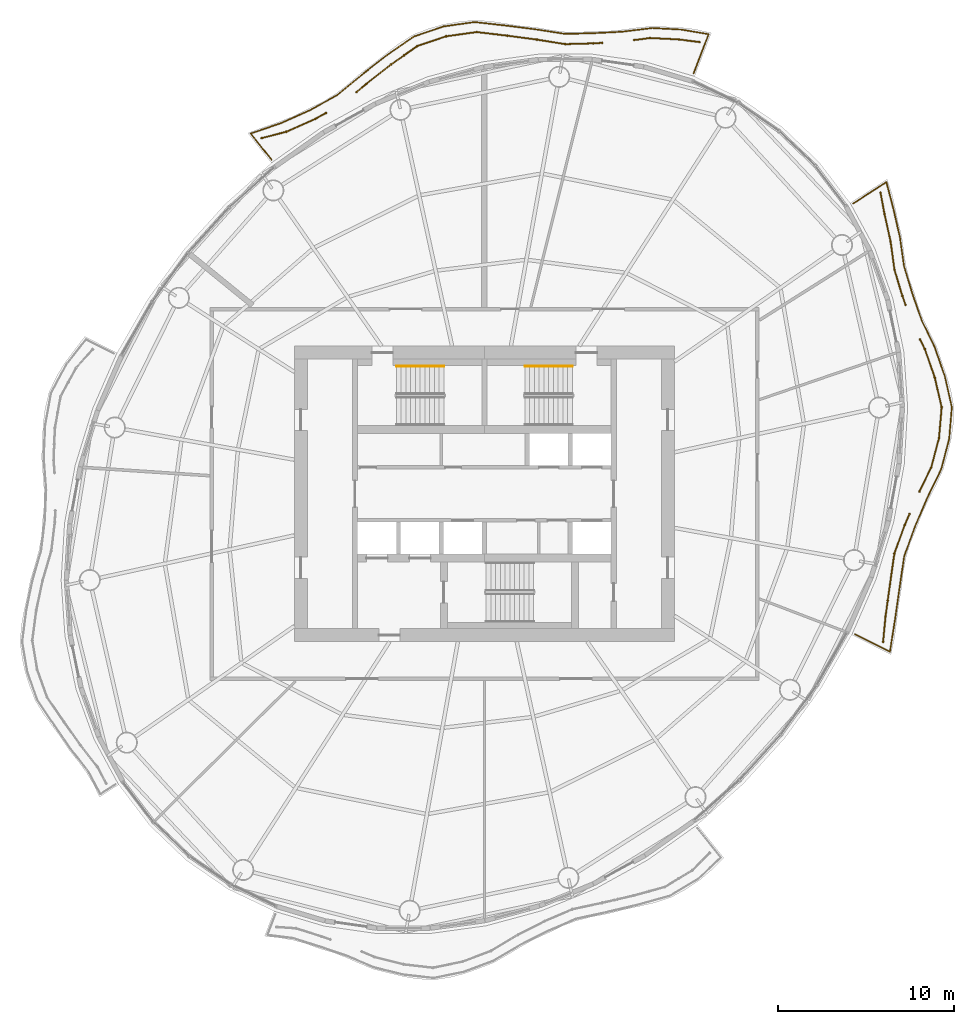
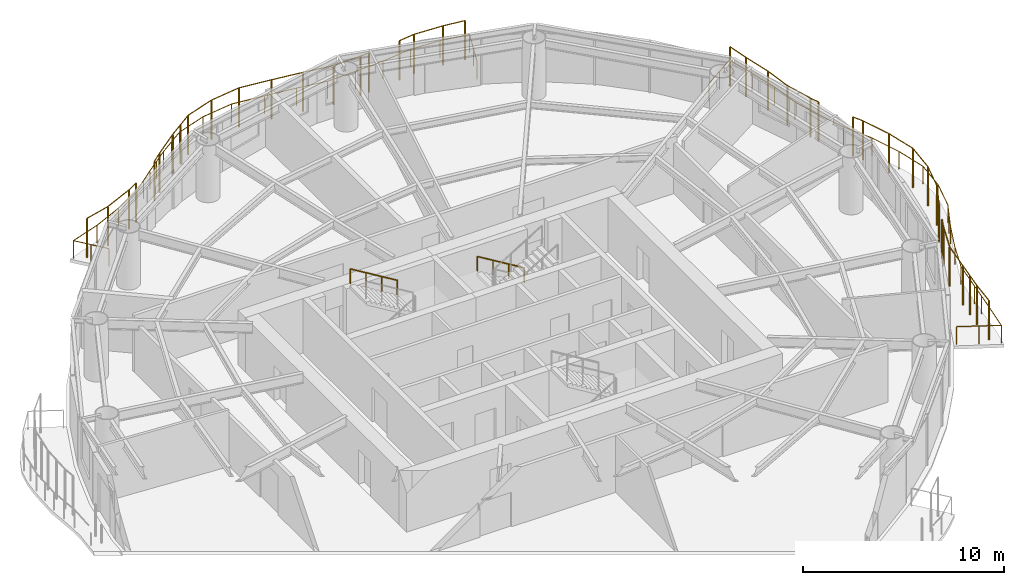
# One storey, part 14 of 14: 10 railings.
"""IFC4 building model written with IfcOpenShell, lengths in metres."""

from ifc_helpers import new_model, si_unit, direction, frame, origin, origin_2d, place, context, subcontext, project, spatial, circle, extrude, material, type_object, element, save


model = new_model("IFC4")

# Units and contexts
model_context = context("Model", 3, precision=1e-05, world=origin(), true_north=direction((0.0, 1.0)))
body_context = subcontext(model_context, "Body", "Model", "MODEL_VIEW")
ifc_project = project(units=[si_unit("LENGTHUNIT", "METRE"), si_unit("AREAUNIT", "SQUARE_METRE"), si_unit("VOLUMEUNIT", "CUBIC_METRE"), si_unit("PLANEANGLEUNIT", "RADIAN"), si_unit("MASSUNIT", "GRAM", prefix="KILO")], contexts=[model_context])

# Site, building, storey
site_placement = place(None, origin())
site = spatial("IfcSite", under=ifc_project, at=site_placement, CompositionType="ELEMENT")
building_placement = place(site_placement, origin())
building = spatial("IfcBuilding", under=site, at=building_placement, Name="Vermilion Reach Broadcast Tower", CompositionType="ELEMENT")
storey_placement = place(building_placement, frame((0.0, 0.0, 235.300048828125)))
storey = spatial("IfcBuildingStorey", under=building, at=storey_placement, Name="L58", CompositionType="ELEMENT", Elevation=235.300048828125)

# Railings
ifc_material_1 = material(Name="Terracotta baguette", Category="masonry")
railing_type_1 = type_object("IfcRailingType", Name="BAGUETTE SCREEN", PredefinedType="USERDEFINED", material=ifc_material_1)
railing_1_placement = place(storey_placement, frame((6.2158203125, 25.665283203125, 0.0)))
element("IfcRailing", 1, at=railing_1_placement, inside=storey, type_object=railing_type_1, Name="Baguette screen L58 group 1 part 1", ObjectType="BAGUETTE SCREEN", PredefinedType="USERDEFINED", context=body_context, shape_type="SweptSolid", body=[
    extrude(circle(Radius=0.030029296875, at=origin_2d()), frame((0.0, 0.0, 2.369873046875), z_axis=(-0.991571809295, 0.129558276509, 0.0), x_axis=(-0.129558276509, -0.991571809295, 0.0)), (0.0, 0.0, 1.0), 1.19091796875),
    extrude(circle(Radius=0.030029296875, at=origin_2d()), frame((-1.180908203125, 0.154296875, 2.369873046875), z_axis=(-0.998828351634, 0.048393429014, 0.0), x_axis=(-0.048393429014, -0.998828351634, 0.0)), (0.0, 0.0, 1.0), 1.62451171875),
    extrude(circle(Radius=0.030029296875, at=origin_2d()), frame((-2.803466796875, 0.23291015625, 2.369873046875), z_axis=(-0.991491863311, -0.130168678983, 0.0), x_axis=(0.130168678983, -0.991491863311, 0.0)), (0.0, 0.0, 1.0), 0.906005859375),
    extrude(circle(Radius=0.050048828125, at=origin_2d()), origin(), (0.0, 0.0, 1.0), 2.33984375),
    extrude(circle(Radius=0.050048828125, at=origin_2d()), frame((-1.180908203125, 0.154296875, 0.0)), (0.0, 0.0, 1.0), 2.33984375),
    extrude(circle(Radius=0.050048828125, at=origin_2d()), frame((-2.803466796875, 0.23291015625, 0.0)), (0.0, 0.0, 1.0), 2.33984375),
    extrude(circle(Radius=0.050048828125, at=origin_2d()), frame((-3.70166015625, 0.114990234375, 0.0)), (0.0, 0.0, 1.0), 2.33984375),
])
railing_2_placement = place(storey_placement, frame((0.68798828125, 25.622314453125, 0.0)))
element("IfcRailing", 2, at=railing_2_placement, inside=storey, type_object=railing_type_1, Name="Baguette screen L58 group 1 part 2", ObjectType="BAGUETTE SCREEN", PredefinedType="USERDEFINED", context=body_context, shape_type="SweptSolid", body=[
    extrude(circle(Radius=0.030029296875, at=origin_2d()), frame((0.0, 0.0, 2.369873046875), z_axis=(-0.998507167997, -0.054620833566, 0.0), x_axis=(0.054620833566, -0.998507167997, 0.0)), (0.0, 0.0, 1.0), 0.509521484375),
    extrude(circle(Radius=0.030029296875, at=origin_2d()), frame((-0.5087890625, -0.02783203125, 2.369873046875), z_axis=(-0.999612759384, -0.027826808589, 0.0), x_axis=(0.027826808589, -0.999612759384, 0.0)), (0.0, 0.0, 1.0), 1.588134765625),
    extrude(circle(Radius=0.030029296875, at=origin_2d()), frame((-2.09619140625, -0.072021484375, 2.369873046875), z_axis=(-0.987482899539, 0.157726101574, 0.0), x_axis=(-0.157726101574, -0.987482899539, 0.0)), (0.0, 0.0, 1.0), 1.62060546875),
    extrude(circle(Radius=0.030029296875, at=origin_2d()), frame((-3.696533203125, 0.18359375, 2.369873046875), z_axis=(-0.991309152713, 0.131552893348, 0.0), x_axis=(-0.131552893348, -0.991309152713, 0.0)), (0.0, 0.0, 1.0), 1.701904296875),
    extrude(circle(Radius=0.030029296875, at=origin_2d()), frame((-5.383544921875, 0.407470703125, 2.369873046875), z_axis=(-0.993103899131, 0.117237560243, 0.0), x_axis=(-0.117237560243, -0.993103899131, 0.0)), (0.0, 0.0, 1.0), 1.751220703125),
    extrude(circle(Radius=0.030029296875, at=origin_2d()), frame((-7.122802734375, 0.61279296875, 2.369873046875), z_axis=(-0.99065624385, -0.136382574111, 0.0), x_axis=(0.136382574111, -0.99065624385, 0.0)), (0.0, 0.0, 1.0), 1.750732421875),
    extrude(circle(Radius=0.030029296875, at=origin_2d()), frame((-8.857177734375, 0.3740234375, 2.369873046875), z_axis=(-0.946888031341, -0.321563455795, 0.0), x_axis=(0.321563455795, -0.946888031341, 0.0)), (0.0, 0.0, 1.0), 1.74169921875),
    extrude(circle(Radius=0.030029296875, at=origin_2d()), frame((-10.50634765625, -0.18603515625, 2.369873046875), z_axis=(-0.819030480707, -0.573750007993, 0.0), x_axis=(0.573750007993, -0.819030480707, 0.0)), (0.0, 0.0, 1.0), 1.822509765625),
    extrude(circle(Radius=0.030029296875, at=origin_2d()), frame((-11.9990234375, -1.231689453125, 2.369873046875), z_axis=(-0.785929801206, -0.618315734537, 0.0), x_axis=(0.618315734537, -0.785929801206, 0.0)), (0.0, 0.0, 1.0), 1.78857421875),
    extrude(circle(Radius=0.030029296875, at=origin_2d()), frame((-13.40478515625, -2.337646484375, 2.369873046875), z_axis=(-0.76729927623, -0.641289186481, 0.0), x_axis=(0.641289186481, -0.76729927623, 0.0)), (0.0, 0.0, 1.0), 0.716796875),
    extrude(circle(Radius=0.050048828125, at=origin_2d()), origin(), (0.0, 0.0, 1.0), 2.33984375),
    extrude(circle(Radius=0.050048828125, at=origin_2d()), frame((-0.5087890625, -0.02783203125, 0.0)), (0.0, 0.0, 1.0), 2.33984375),
    extrude(circle(Radius=0.050048828125, at=origin_2d()), frame((-2.09619140625, -0.072021484375, 0.0)), (0.0, 0.0, 1.0), 2.33984375),
    extrude(circle(Radius=0.050048828125, at=origin_2d()), frame((-3.696533203125, 0.18359375, 0.0)), (0.0, 0.0, 1.0), 2.33984375),
    extrude(circle(Radius=0.050048828125, at=origin_2d()), frame((-5.383544921875, 0.407470703125, 0.0)), (0.0, 0.0, 1.0), 2.33984375),
    extrude(circle(Radius=0.050048828125, at=origin_2d()), frame((-7.122802734375, 0.61279296875, 0.0)), (0.0, 0.0, 1.0), 2.33984375),
    extrude(circle(Radius=0.050048828125, at=origin_2d()), frame((-8.857177734375, 0.3740234375, 0.0)), (0.0, 0.0, 1.0), 2.33984375),
    extrude(circle(Radius=0.050048828125, at=origin_2d()), frame((-10.50634765625, -0.18603515625, 0.0)), (0.0, 0.0, 1.0), 2.33984375),
    extrude(circle(Radius=0.050048828125, at=origin_2d()), frame((-11.252685546875, -0.708984375, 0.0)), (0.0, 0.0, 1.0), 2.33984375),
    extrude(circle(Radius=0.050048828125, at=origin_2d()), frame((-11.9990234375, -1.231689453125, 0.0)), (0.0, 0.0, 1.0), 2.33984375),
    extrude(circle(Radius=0.050048828125, at=origin_2d()), frame((-13.40478515625, -2.337646484375, 0.0)), (0.0, 0.0, 1.0), 2.33984375),
    extrude(circle(Radius=0.050048828125, at=origin_2d()), frame((-13.954833984375, -2.79736328125, 0.0)), (0.0, 0.0, 1.0), 2.33984375),
])
railing_3_placement = place(storey_placement, frame((-15.00830078125, 21.634033203125, 0.0)))
element("IfcRailing", 3, at=railing_3_placement, inside=storey, type_object=railing_type_1, Name="Baguette screen L58 group 1 part 3", ObjectType="BAGUETTE SCREEN", PredefinedType="USERDEFINED", context=body_context, shape_type="SweptSolid", body=[
    extrude(circle(Radius=0.030029296875, at=origin_2d()), frame((0.0, 0.0, 2.369873046875), z_axis=(-0.876827004164, -0.480805994939, 0.0), x_axis=(0.480805994939, -0.876827004164, 0.0)), (0.0, 0.0, 1.0), 0.682373046875),
    extrude(circle(Radius=0.030029296875, at=origin_2d()), frame((-0.598388671875, -0.328125, 2.369873046875), z_axis=(-0.913108942884, -0.407715658794, 0.0), x_axis=(0.407715658794, -0.913108942884, 0.0)), (0.0, 0.0, 1.0), 1.794677734375),
    extrude(circle(Radius=0.030029296875, at=origin_2d()), frame((-2.237060546875, -1.059814453125, 2.369873046875), z_axis=(-0.967925698677, -0.251236625196, 0.0), x_axis=(0.251236625196, -0.967925698677, 0.0)), (0.0, 0.0, 1.0), 1.450927734375),
    extrude(circle(Radius=0.050048828125, at=origin_2d()), origin(), (0.0, 0.0, 1.0), 2.33984375),
    extrude(circle(Radius=0.050048828125, at=origin_2d()), frame((-0.598388671875, -0.328125, 0.0)), (0.0, 0.0, 1.0), 2.33984375),
    extrude(circle(Radius=0.050048828125, at=origin_2d()), frame((-2.237060546875, -1.059814453125, 0.0)), (0.0, 0.0, 1.0), 2.33984375),
    extrude(circle(Radius=0.050048828125, at=origin_2d()), frame((-3.641357421875, -1.42431640625, 0.0)), (0.0, 0.0, 1.0), 2.33984375),
])
railing_4_placement = place(storey_placement, frame((16.654052734375, -8.411376953125, 0.0)))
element("IfcRailing", 4, at=railing_4_placement, inside=storey, type_object=railing_type_1, Name="Baguette screen L58 group 4 part 1", ObjectType="BAGUETTE SCREEN", PredefinedType="USERDEFINED", context=body_context, shape_type="SweptSolid", body=[
    extrude(circle(Radius=0.030029296875, at=origin_2d()), frame((0.0, 0.0, 2.369873046875), z_axis=(0.093654347254, 0.995604772608, 0.0), x_axis=(-0.995604772608, 0.093654347254, 0.0)), (0.0, 0.0, 1.0), 1.44677734375),
    extrude(circle(Radius=0.030029296875, at=origin_2d()), frame((0.135498046875, 1.4404296875, 2.369873046875), z_axis=(0.137319125596, 0.990526858669, 0.0), x_axis=(-0.990526858669, 0.137319125596, 0.0)), (0.0, 0.0, 1.0), 1.841796875),
    extrude(circle(Radius=0.030029296875, at=origin_2d()), frame((0.388427734375, 3.264892578125, 2.369873046875), z_axis=(0.141266693029, 0.989971576077, 0.0), x_axis=(-0.989971576077, 0.141266693029, 0.0)), (0.0, 0.0, 1.0), 1.76806640625),
    extrude(circle(Radius=0.030029296875, at=origin_2d()), frame((0.63818359375, 5.01513671875, 2.369873046875), z_axis=(0.341055271305, 0.940043244705, 0.0), x_axis=(-0.940043244705, 0.341055271305, 0.0)), (0.0, 0.0, 1.0), 1.73876953125),
    extrude(circle(Radius=0.030029296875, at=origin_2d()), frame((1.231201171875, 6.649658203125, 2.369873046875), z_axis=(0.39537279871, 0.918520740125, 0.0), x_axis=(-0.918520740125, 0.39537279871, 0.0)), (0.0, 0.0, 1.0), 0.668701171875),
    extrude(circle(Radius=0.050048828125, at=origin_2d()), origin(), (0.0, 0.0, 1.0), 2.33984375),
    extrude(circle(Radius=0.050048828125, at=origin_2d()), frame((0.135498046875, 1.4404296875, 0.0)), (0.0, 0.0, 1.0), 2.33984375),
    extrude(circle(Radius=0.050048828125, at=origin_2d()), frame((0.261962890625, 2.3525390625, 0.0)), (0.0, 0.0, 1.0), 2.33984375),
    extrude(circle(Radius=0.050048828125, at=origin_2d()), frame((0.388427734375, 3.264892578125, 0.0)), (0.0, 0.0, 1.0), 2.33984375),
    extrude(circle(Radius=0.050048828125, at=origin_2d()), frame((0.63818359375, 5.01513671875, 0.0)), (0.0, 0.0, 1.0), 2.33984375),
    extrude(circle(Radius=0.050048828125, at=origin_2d()), frame((1.231201171875, 6.649658203125, 0.0)), (0.0, 0.0, 1.0), 2.33984375),
    extrude(circle(Radius=0.050048828125, at=origin_2d()), frame((1.49560546875, 7.263916015625, 0.0)), (0.0, 0.0, 1.0), 2.33984375),
])
railing_5_placement = place(storey_placement, frame((18.71630859375, 0.12841796875, 0.0)))
element("IfcRailing", 5, at=railing_5_placement, inside=storey, type_object=railing_type_1, Name="Baguette screen L58 group 4 part 2", ObjectType="BAGUETTE SCREEN", PredefinedType="USERDEFINED", context=body_context, shape_type="SweptSolid", body=[
    extrude(circle(Radius=0.030029296875, at=origin_2d()), frame((0.0, 0.0, 2.369873046875), z_axis=(0.441834276292, 0.897096690604, 0.0), x_axis=(-0.897096690604, 0.441834276292, 0.0)), (0.0, 0.0, 1.0), 1.509033203125),
    extrude(circle(Radius=0.030029296875, at=origin_2d()), frame((0.666748046875, 1.353759765625, 2.369873046875), z_axis=(0.25551384864, 0.966805395699, 0.0), x_axis=(-0.966805395699, 0.25551384864, 0.0)), (0.0, 0.0, 1.0), 1.75439453125),
    extrude(circle(Radius=0.030029296875, at=origin_2d()), frame((1.114990234375, 3.0498046875, 2.369873046875), z_axis=(0.084534628096, 0.996420542067, 0.0), x_axis=(-0.996420542067, 0.084534628096, 0.0)), (0.0, 0.0, 1.0), 1.750244140625),
    extrude(circle(Radius=0.030029296875, at=origin_2d()), frame((1.262939453125, 4.793701171875, 2.369873046875), z_axis=(-0.226167957259, 0.974088319974, 0.0), x_axis=(-0.974088319974, -0.226167957259, 0.0)), (0.0, 0.0, 1.0), 1.73046875),
    extrude(circle(Radius=0.030029296875, at=origin_2d()), frame((0.87158203125, 6.479248046875, 2.369873046875), z_axis=(-0.329682832837, 0.944091748578, 0.0), x_axis=(-0.944091748578, -0.329682832837, 0.0)), (0.0, 0.0, 1.0), 1.726806640625),
    extrude(circle(Radius=0.030029296875, at=origin_2d()), frame((0.30224609375, 8.109619140625, 2.369873046875), z_axis=(-0.443588797361, 0.896230427321, 0.0), x_axis=(-0.896230427321, -0.443588797361, 0.0)), (0.0, 0.0, 1.0), 0.59326171875),
    extrude(circle(Radius=0.050048828125, at=origin_2d()), origin(), (0.0, 0.0, 1.0), 2.33984375),
    extrude(circle(Radius=0.050048828125, at=origin_2d()), frame((0.666748046875, 1.353759765625, 0.0)), (0.0, 0.0, 1.0), 2.33984375),
    extrude(circle(Radius=0.050048828125, at=origin_2d()), frame((1.114990234375, 3.0498046875, 0.0)), (0.0, 0.0, 1.0), 2.33984375),
    extrude(circle(Radius=0.050048828125, at=origin_2d()), frame((1.262939453125, 4.793701171875, 0.0)), (0.0, 0.0, 1.0), 2.33984375),
    extrude(circle(Radius=0.050048828125, at=origin_2d()), frame((0.87158203125, 6.479248046875, 0.0)), (0.0, 0.0, 1.0), 2.33984375),
    extrude(circle(Radius=0.050048828125, at=origin_2d()), frame((0.30224609375, 8.109619140625, 0.0)), (0.0, 0.0, 1.0), 2.33984375),
    extrude(circle(Radius=0.050048828125, at=origin_2d()), frame((0.0390625, 8.641357421875, 0.0)), (0.0, 0.0, 1.0), 2.33984375),
])
railing_6_placement = place(storey_placement, frame((17.92333984375, 10.7421875, 0.0)))
element("IfcRailing", 6, at=railing_6_placement, inside=storey, type_object=railing_type_1, Name="Baguette screen L58 group 4 part 3", ObjectType="BAGUETTE SCREEN", PredefinedType="USERDEFINED", context=body_context, shape_type="SweptSolid", body=[
    extrude(circle(Radius=0.030029296875, at=origin_2d()), frame((0.0, 0.0, 2.369873046875), z_axis=(-0.330592480543, 0.943773601988, 0.0), x_axis=(-0.943773601988, -0.330592480543, 0.0)), (0.0, 0.0, 1.0), 0.5390625),
    extrude(circle(Radius=0.030029296875, at=origin_2d()), frame((-0.17822265625, 0.5087890625, 2.369873046875), z_axis=(-0.289661643219, 0.957129109602, 0.0), x_axis=(-0.957129109602, -0.289661643219, 0.0)), (0.0, 0.0, 1.0), 1.54833984375),
    extrude(circle(Radius=0.030029296875, at=origin_2d()), frame((-0.626708984375, 1.99072265625, 2.369873046875), z_axis=(-0.134351096884, 0.990933793331, 0.0), x_axis=(-0.990933793331, -0.134351096884, 0.0)), (0.0, 0.0, 1.0), 1.615478515625),
    extrude(circle(Radius=0.030029296875, at=origin_2d()), frame((-0.84375, 3.591552734375, 2.369873046875), z_axis=(-0.216962587085, 0.976179919792, 0.0), x_axis=(-0.976179919792, -0.216962587085, 0.0)), (0.0, 0.0, 1.0), 1.609130859375),
    extrude(circle(Radius=0.030029296875, at=origin_2d()), frame((-1.19287109375, 5.162353515625, 2.369873046875), z_axis=(-0.181853365055, 0.983325660002, 0.0), x_axis=(-0.983325660002, -0.181853365055, 0.0)), (0.0, 0.0, 1.0), 1.22314453125),
    extrude(circle(Radius=0.050048828125, at=origin_2d()), origin(), (0.0, 0.0, 1.0), 2.33984375),
    extrude(circle(Radius=0.050048828125, at=origin_2d()), frame((-0.17822265625, 0.5087890625, 0.0)), (0.0, 0.0, 1.0), 2.33984375),
    extrude(circle(Radius=0.050048828125, at=origin_2d()), frame((-0.626708984375, 1.99072265625, 0.0)), (0.0, 0.0, 1.0), 2.33984375),
    extrude(circle(Radius=0.050048828125, at=origin_2d()), frame((-0.84375, 3.591552734375, 0.0)), (0.0, 0.0, 1.0), 2.33984375),
    extrude(circle(Radius=0.050048828125, at=origin_2d()), frame((-1.19287109375, 5.162353515625, 0.0)), (0.0, 0.0, 1.0), 2.33984375),
    extrude(circle(Radius=0.050048828125, at=origin_2d()), frame((-1.415283203125, 6.364990234375, 0.0)), (0.0, 0.0, 1.0), 2.33984375),
])
ifc_material_2 = material(Name="Stainless steel 316 balustrade", Category="steel")
railing_type_2 = type_object("IfcRailingType", Name="Balcony guard 1100", PredefinedType="BALUSTRADE", material=ifc_material_2)
railing_7_placement = place(storey_placement, frame((5.88427734375, 23.887939453125, 0.0)))
element("IfcRailing", 7, at=railing_7_placement, inside=storey, type_object=railing_type_2, Name="Balcony guard L58 group 1", PredefinedType="BALUSTRADE", context=body_context, shape_type="SweptSolid", body=[
    extrude(circle(Radius=0.02490234375, at=origin_2d()), frame((0.0, 0.0, 1.0751953125), z_axis=(0.359171287616, 0.93327165721, 0.0), x_axis=(-0.93327165721, 0.359171287616, 0.0)), (0.0, 0.0, 1.0), 2.383056640625),
    extrude(circle(Radius=0.02490234375, at=origin_2d()), frame((0.85595703125, 2.22412109375, 1.0751953125), z_axis=(-0.985675011589, 0.168655778228, 0.0), x_axis=(-0.168655778228, -0.985675011589, 0.0)), (0.0, 0.0, 1.0), 1.56201171875),
    extrude(circle(Radius=0.02490234375, at=origin_2d()), frame((-0.68359375, 2.487548828125, 1.0751953125), z_axis=(-0.998561837629, 0.053612092207, 0.0), x_axis=(-0.053612092207, -0.998561837629, 0.0)), (0.0, 0.0, 1.0), 1.666748046875),
    extrude(circle(Radius=0.02490234375, at=origin_2d()), frame((-2.347900390625, 2.576904296875, 1.0751953125), z_axis=(-0.992439500833, -0.122734824664, 0.0), x_axis=(0.122734824664, -0.992439500833, 0.0)), (0.0, 0.0, 1.0), 1.710693359375),
    extrude(circle(Radius=0.02490234375, at=origin_2d()), frame((-4.045654296875, 2.366943359375, 1.0751953125), z_axis=(-0.998726288129, -0.050455935232, 0.0), x_axis=(0.050455935232, -0.998726288129, 0.0)), (0.0, 0.0, 1.0), 1.620849609375),
    extrude(circle(Radius=0.02490234375, at=origin_2d()), frame((-5.66455078125, 2.28515625, 1.0751953125), z_axis=(-0.999656093693, -0.026223926907, 0.0), x_axis=(0.026223926907, -0.999656093693, 0.0)), (0.0, 0.0, 1.0), 1.629150390625),
    extrude(circle(Radius=0.02490234375, at=origin_2d()), frame((-7.293212890625, 2.242431640625, 1.0751953125), z_axis=(-0.988199260452, 0.153173828191, 0.0), x_axis=(-0.153173828191, -0.988199260452, 0.0)), (0.0, 0.0, 1.0), 1.6591796875),
    extrude(circle(Radius=0.02490234375, at=origin_2d()), frame((-8.932861328125, 2.49658203125, 1.0751953125), z_axis=(-0.991992478383, 0.126296962872, 0.0), x_axis=(-0.126296962872, -0.991992478383, 0.0)), (0.0, 0.0, 1.0), 1.73974609375),
    extrude(circle(Radius=0.02490234375, at=origin_2d()), frame((-10.65869140625, 2.71630859375, 1.0751953125), z_axis=(-0.993768252008, 0.111465964761, 0.0), x_axis=(-0.111465964761, -0.993768252008, 0.0)), (0.0, 0.0, 1.0), 1.787353515625),
    extrude(circle(Radius=0.02490234375, at=origin_2d()), frame((-12.434814453125, 2.91552734375, 1.0751953125), z_axis=(-0.990384453817, -0.138342450595, 0.0), x_axis=(0.138342450595, -0.990384453817, 0.0)), (0.0, 0.0, 1.0), 1.78759765625),
    extrude(circle(Radius=0.02490234375, at=origin_2d()), frame((-14.205322265625, 2.668212890625, 1.0751953125), z_axis=(-0.94704959354, -0.321087320485, 0.0), x_axis=(0.321087320485, -0.94704959354, 0.0)), (0.0, 0.0, 1.0), 1.77685546875),
    extrude(circle(Radius=0.02490234375, at=origin_2d()), frame((-15.88818359375, 2.09765625, 1.0751953125), z_axis=(-0.821818054118, -0.569750020559, 0.0), x_axis=(0.569750020559, -0.821818054118, 0.0)), (0.0, 0.0, 1.0), 1.856689453125),
    extrude(circle(Radius=0.02490234375, at=origin_2d()), frame((-17.4140625, 1.039794921875, 1.0751953125), z_axis=(-0.788767381372, -0.614691807399, 0.0), x_axis=(0.614691807399, -0.788767381372, 0.0)), (0.0, 0.0, 1.0), 1.82177734375),
    extrude(circle(Radius=0.02490234375, at=origin_2d()), frame((-18.85107421875, -0.080078125, 1.0751953125), z_axis=(-0.769912310951, -0.63814969517, 0.0), x_axis=(0.63814969517, -0.769912310951, 0.0)), (0.0, 0.0, 1.0), 1.819580078125),
    extrude(circle(Radius=0.02490234375, at=origin_2d()), frame((-20.251953125, -1.2412109375, 1.0751953125), z_axis=(-0.876560246025, -0.481292151493, 0.0), x_axis=(0.481292151493, -0.876560246025, 0.0)), (0.0, 0.0, 1.0), 1.765380859375),
    extrude(circle(Radius=0.02490234375, at=origin_2d()), frame((-21.79931640625, -2.0908203125, 1.0751953125), z_axis=(-0.911888993031, -0.410436918892, 0.0), x_axis=(0.410436918892, -0.911888993031, 0.0)), (0.0, 0.0, 1.0), 1.82666015625),
    extrude(circle(Radius=0.02490234375, at=origin_2d()), frame((-23.465087890625, -2.840576171875, 1.0751953125), z_axis=(-0.947313230279, -0.320308669471, 0.0), x_axis=(0.320308669471, -0.947313230279, 0.0)), (0.0, 0.0, 1.0), 1.79345703125),
    extrude(circle(Radius=0.02490234375, at=origin_2d()), frame((-25.1640625, -3.4150390625, 1.0751953125), z_axis=(0.622276462089, -0.782797550284, 0.0), x_axis=(0.782797550284, 0.622276462089, 0.0)), (0.0, 0.0, 1.0), 1.898193359375),
    extrude(circle(Radius=0.02490234375, at=origin_2d()), origin(), (0.0, 0.0, 1.0), 1.050048828125),
    extrude(circle(Radius=0.02490234375, at=origin_2d()), frame((0.427978515625, 1.112060546875, 0.0)), (0.0, 0.0, 1.0), 1.050048828125),
    extrude(circle(Radius=0.02490234375, at=origin_2d()), frame((0.85595703125, 2.22412109375, 0.0)), (0.0, 0.0, 1.0), 1.050048828125),
    extrude(circle(Radius=0.02490234375, at=origin_2d()), frame((-0.68359375, 2.487548828125, 0.0)), (0.0, 0.0, 1.0), 1.050048828125),
    extrude(circle(Radius=0.02490234375, at=origin_2d()), frame((-2.347900390625, 2.576904296875, 0.0)), (0.0, 0.0, 1.0), 1.050048828125),
    extrude(circle(Radius=0.02490234375, at=origin_2d()), frame((-4.045654296875, 2.366943359375, 0.0)), (0.0, 0.0, 1.0), 1.050048828125),
    extrude(circle(Radius=0.02490234375, at=origin_2d()), frame((-5.66455078125, 2.28515625, 0.0)), (0.0, 0.0, 1.0), 1.050048828125),
    extrude(circle(Radius=0.02490234375, at=origin_2d()), frame((-7.293212890625, 2.242431640625, 0.0)), (0.0, 0.0, 1.0), 1.050048828125),
    extrude(circle(Radius=0.02490234375, at=origin_2d()), frame((-8.932861328125, 2.49658203125, 0.0)), (0.0, 0.0, 1.0), 1.050048828125),
    extrude(circle(Radius=0.02490234375, at=origin_2d()), frame((-10.65869140625, 2.71630859375, 0.0)), (0.0, 0.0, 1.0), 1.050048828125),
    extrude(circle(Radius=0.02490234375, at=origin_2d()), frame((-12.434814453125, 2.91552734375, 0.0)), (0.0, 0.0, 1.0), 1.050048828125),
    extrude(circle(Radius=0.02490234375, at=origin_2d()), frame((-14.205322265625, 2.668212890625, 0.0)), (0.0, 0.0, 1.0), 1.050048828125),
    extrude(circle(Radius=0.02490234375, at=origin_2d()), frame((-15.88818359375, 2.09765625, 0.0)), (0.0, 0.0, 1.0), 1.050048828125),
    extrude(circle(Radius=0.02490234375, at=origin_2d()), frame((-16.651123046875, 1.56884765625, 0.0)), (0.0, 0.0, 1.0), 1.050048828125),
    extrude(circle(Radius=0.02490234375, at=origin_2d()), frame((-17.4140625, 1.039794921875, 0.0)), (0.0, 0.0, 1.0), 1.050048828125),
    extrude(circle(Radius=0.02490234375, at=origin_2d()), frame((-18.132568359375, 0.47998046875, 0.0)), (0.0, 0.0, 1.0), 1.050048828125),
    extrude(circle(Radius=0.02490234375, at=origin_2d()), frame((-18.85107421875, -0.080078125, 0.0)), (0.0, 0.0, 1.0), 1.050048828125),
    extrude(circle(Radius=0.02490234375, at=origin_2d()), frame((-19.551513671875, -0.66064453125, 0.0)), (0.0, 0.0, 1.0), 1.050048828125),
    extrude(circle(Radius=0.02490234375, at=origin_2d()), frame((-20.251953125, -1.2412109375, 0.0)), (0.0, 0.0, 1.0), 1.050048828125),
    extrude(circle(Radius=0.02490234375, at=origin_2d()), frame((-21.79931640625, -2.0908203125, 0.0)), (0.0, 0.0, 1.0), 1.050048828125),
    extrude(circle(Radius=0.02490234375, at=origin_2d()), frame((-22.63232421875, -2.4658203125, 0.0)), (0.0, 0.0, 1.0), 1.050048828125),
    extrude(circle(Radius=0.02490234375, at=origin_2d()), frame((-23.465087890625, -2.840576171875, 0.0)), (0.0, 0.0, 1.0), 1.050048828125),
    extrude(circle(Radius=0.02490234375, at=origin_2d()), frame((-25.1640625, -3.4150390625, 0.0)), (0.0, 0.0, 1.0), 1.050048828125),
    extrude(circle(Radius=0.02490234375, at=origin_2d()), frame((-24.573486328125, -4.157958984375, 0.0)), (0.0, 0.0, 1.0), 1.050048828125),
    extrude(circle(Radius=0.02490234375, at=origin_2d()), frame((-23.98291015625, -4.90087890625, 0.0)), (0.0, 0.0, 1.0), 1.050048828125),
])
railing_8_placement = place(storey_placement, frame((15.054443359375, -7.974853515625, 0.0)))
element("IfcRailing", 8, at=railing_8_placement, inside=storey, type_object=railing_type_2, Name="Balcony guard L58 group 4", PredefinedType="BALUSTRADE", context=body_context, shape_type="SweptSolid", body=[
    extrude(circle(Radius=0.02490234375, at=origin_2d()), frame((0.0, 0.0, 1.0751953125), z_axis=(0.893171730246, -0.449715754993, 0.0), x_axis=(0.449715754993, 0.893171730246, 0.0)), (0.0, 0.0, 1.0), 2.22314453125),
    extrude(circle(Radius=0.02490234375, at=origin_2d()), frame((1.985595703125, -0.999755859375, 1.0751953125), z_axis=(0.156647434007, 0.987654586087, 0.0), x_axis=(-0.987654586087, 0.156647434007, 0.0)), (0.0, 0.0, 1.0), 1.7939453125),
    extrude(circle(Radius=0.02490234375, at=origin_2d()), frame((2.2666015625, 0.77197265625, 1.0751953125), z_axis=(0.141640263214, 0.989918196538, 0.0), x_axis=(-0.989918196538, 0.141640263214, 0.0)), (0.0, 0.0, 1.0), 1.87353515625),
    extrude(circle(Radius=0.02490234375, at=origin_2d()), frame((2.531982421875, 2.626708984375, 1.0751953125), z_axis=(0.144591886032, 0.989491377675, 0.0), x_axis=(-0.989491377675, 0.144591886032, 0.0)), (0.0, 0.0, 1.0), 1.7998046875),
    extrude(circle(Radius=0.02490234375, at=origin_2d()), frame((2.792236328125, 4.40771484375, 1.0751953125), z_axis=(0.339597086757, 0.940571006711, 0.0), x_axis=(-0.940571006711, 0.339597086757, 0.0)), (0.0, 0.0, 1.0), 1.77294921875),
    extrude(circle(Radius=0.02490234375, at=origin_2d()), frame((3.394287109375, 6.0751953125, 1.0751953125), z_axis=(0.391782503968, 0.920057862085, 0.0), x_axis=(-0.920057862085, 0.391782503968, 0.0)), (0.0, 0.0, 1.0), 1.77978515625),
    extrude(circle(Radius=0.02490234375, at=origin_2d()), frame((4.091552734375, 7.712646484375, 1.0751953125), z_axis=(0.436743261633, 0.899586195658, 0.0), x_axis=(-0.899586195658, 0.436743261633, 0.0)), (0.0, 0.0, 1.0), 1.861572265625),
    extrude(circle(Radius=0.02490234375, at=origin_2d()), frame((4.904541015625, 9.38720703125, 1.0751953125), z_axis=(0.252155271257, 0.967686787746, 0.0), x_axis=(-0.967686787746, 0.252155271257, 0.0)), (0.0, 0.0, 1.0), 1.789306640625),
    extrude(circle(Radius=0.02490234375, at=origin_2d()), frame((5.355712890625, 11.11865234375, 1.0751953125), z_axis=(0.083328104341, 0.996522165848, 0.0), x_axis=(-0.996522165848, 0.083328104341, 0.0)), (0.0, 0.0, 1.0), 1.787109375),
    extrude(circle(Radius=0.02490234375, at=origin_2d()), frame((5.504638671875, 12.899658203125, 1.0751953125), z_axis=(-0.222164488261, 0.975009200036, 0.0), x_axis=(-0.975009200036, -0.222164488261, 0.0)), (0.0, 0.0, 1.0), 1.76708984375),
    extrude(circle(Radius=0.02490234375, at=origin_2d()), frame((5.112060546875, 14.62255859375, 1.0751953125), z_axis=(-0.324928994514, 0.945738414428, 0.0), x_axis=(-0.945738414428, -0.324928994514, 0.0)), (0.0, 0.0, 1.0), 1.764892578125),
    extrude(circle(Radius=0.02490234375, at=origin_2d()), frame((4.53857421875, 16.291748046875, 1.0751953125), z_axis=(-0.43768946133, 0.899126206625, 0.0), x_axis=(-0.899126206625, -0.43768946133, 0.0)), (0.0, 0.0, 1.0), 1.716796875),
    extrude(circle(Radius=0.02490234375, at=origin_2d()), frame((3.787109375, 17.83544921875, 1.0751953125), z_axis=(-0.328445518489, 0.944522917342, 0.0), x_axis=(-0.944522917342, -0.328445518489, 0.0)), (0.0, 0.0, 1.0), 1.638916015625),
    extrude(circle(Radius=0.02490234375, at=origin_2d()), frame((3.248779296875, 19.383544921875, 1.0751953125), z_axis=(-0.289981818031, 0.957032154743, 0.0), x_axis=(-0.957032154743, -0.289981818031, 0.0)), (0.0, 0.0, 1.0), 1.589599609375),
    extrude(circle(Radius=0.02490234375, at=origin_2d()), frame((2.787841796875, 20.90478515625, 1.0751953125), z_axis=(-0.140843813606, 0.990031827857, 0.0), x_axis=(-0.990031827857, -0.140843813606, 0.0)), (0.0, 0.0, 1.0), 1.6572265625),
    extrude(circle(Radius=0.02490234375, at=origin_2d()), frame((2.554443359375, 22.54541015625, 1.0751953125), z_axis=(-0.222969330189, 0.97482546017, 0.0), x_axis=(-0.97482546017, -0.222969330189, 0.0)), (0.0, 0.0, 1.0), 1.651123046875),
    extrude(circle(Radius=0.02490234375, at=origin_2d()), frame((2.186279296875, 24.155029296875, 1.0751953125), z_axis=(-0.253908945377, 0.967228125862, 0.0), x_axis=(-0.967228125862, -0.253908945377, 0.0)), (0.0, 0.0, 1.0), 1.583740234375),
    extrude(circle(Radius=0.02490234375, at=origin_2d()), frame((1.7841796875, 25.686767578125, 1.0751953125), z_axis=(-0.840441405493, -0.541902430271, 0.0), x_axis=(0.541902430271, -0.840441405493, 0.0)), (0.0, 0.0, 1.0), 2.22998046875),
    extrude(circle(Radius=0.02490234375, at=origin_2d()), origin(), (0.0, 0.0, 1.0), 1.050048828125),
    extrude(circle(Radius=0.02490234375, at=origin_2d()), frame((0.99267578125, -0.5, 0.0)), (0.0, 0.0, 1.0), 1.050048828125),
    extrude(circle(Radius=0.02490234375, at=origin_2d()), frame((1.985595703125, -0.999755859375, 0.0)), (0.0, 0.0, 1.0), 1.050048828125),
    extrude(circle(Radius=0.02490234375, at=origin_2d()), frame((2.2666015625, 0.77197265625, 0.0)), (0.0, 0.0, 1.0), 1.050048828125),
    extrude(circle(Radius=0.02490234375, at=origin_2d()), frame((2.3994140625, 1.69921875, 0.0)), (0.0, 0.0, 1.0), 1.050048828125),
    extrude(circle(Radius=0.02490234375, at=origin_2d()), frame((2.531982421875, 2.626708984375, 0.0)), (0.0, 0.0, 1.0), 1.050048828125),
    extrude(circle(Radius=0.02490234375, at=origin_2d()), frame((2.792236328125, 4.40771484375, 0.0)), (0.0, 0.0, 1.0), 1.050048828125),
    extrude(circle(Radius=0.02490234375, at=origin_2d()), frame((3.394287109375, 6.0751953125, 0.0)), (0.0, 0.0, 1.0), 1.050048828125),
    extrude(circle(Radius=0.02490234375, at=origin_2d()), frame((4.091552734375, 7.712646484375, 0.0)), (0.0, 0.0, 1.0), 1.050048828125),
    extrude(circle(Radius=0.02490234375, at=origin_2d()), frame((4.498046875, 8.5498046875, 0.0)), (0.0, 0.0, 1.0), 1.050048828125),
    extrude(circle(Radius=0.02490234375, at=origin_2d()), frame((4.904541015625, 9.38720703125, 0.0)), (0.0, 0.0, 1.0), 1.050048828125),
    extrude(circle(Radius=0.02490234375, at=origin_2d()), frame((5.355712890625, 11.11865234375, 0.0)), (0.0, 0.0, 1.0), 1.050048828125),
    extrude(circle(Radius=0.02490234375, at=origin_2d()), frame((5.504638671875, 12.899658203125, 0.0)), (0.0, 0.0, 1.0), 1.050048828125),
    extrude(circle(Radius=0.02490234375, at=origin_2d()), frame((5.112060546875, 14.62255859375, 0.0)), (0.0, 0.0, 1.0), 1.050048828125),
    extrude(circle(Radius=0.02490234375, at=origin_2d()), frame((4.53857421875, 16.291748046875, 0.0)), (0.0, 0.0, 1.0), 1.050048828125),
    extrude(circle(Radius=0.02490234375, at=origin_2d()), frame((3.787109375, 17.83544921875, 0.0)), (0.0, 0.0, 1.0), 1.050048828125),
    extrude(circle(Radius=0.02490234375, at=origin_2d()), frame((3.248779296875, 19.383544921875, 0.0)), (0.0, 0.0, 1.0), 1.050048828125),
    extrude(circle(Radius=0.02490234375, at=origin_2d()), frame((2.787841796875, 20.90478515625, 0.0)), (0.0, 0.0, 1.0), 1.050048828125),
    extrude(circle(Radius=0.02490234375, at=origin_2d()), frame((2.554443359375, 22.54541015625, 0.0)), (0.0, 0.0, 1.0), 1.050048828125),
    extrude(circle(Radius=0.02490234375, at=origin_2d()), frame((2.186279296875, 24.155029296875, 0.0)), (0.0, 0.0, 1.0), 1.050048828125),
    extrude(circle(Radius=0.02490234375, at=origin_2d()), frame((1.7841796875, 25.686767578125, 0.0)), (0.0, 0.0, 1.0), 1.050048828125),
    extrude(circle(Radius=0.02490234375, at=origin_2d()), frame((0.84716796875, 25.08251953125, 0.0)), (0.0, 0.0, 1.0), 1.050048828125),
    extrude(circle(Radius=0.02490234375, at=origin_2d()), frame((-0.090087890625, 24.478271484375, 0.0)), (0.0, 0.0, 1.0), 1.050048828125),
])
ifc_material_3 = material(Name="Stainless steel", Category="steel")
railing_type_3 = type_object("IfcRailingType", Name="Stair handrail", PredefinedType="HANDRAIL", material=ifc_material_3)
railing_9_placement = place(storey_placement, frame((-8.300048828125, 7.25, 1.963623046875)))
element("IfcRailing", 9, at=railing_9_placement, inside=storey, type_object=railing_type_3, Name="L58 ST1 stair handrail 2", PredefinedType="HANDRAIL", context=body_context, shape_type="SweptSolid", body=[
    extrude(circle(Radius=0.02392578125, at=origin_2d()), frame((0.0, 0.0, 0.8759765625), z_axis=(-0.855212373127, 0.0, 0.518277721738), x_axis=(0.0, -1.0, 0.0)), (0.0, 0.0, 1.0), 3.156982421875),
    extrude(circle(Radius=0.02099609375, at=origin_2d()), origin(), (0.0, 0.0, 1.0), 0.851806640625),
    extrude(circle(Radius=0.02099609375, at=origin_2d()), frame((-0.89990234375, 0.0, 0.54541015625)), (0.0, 0.0, 1.0), 0.851806640625),
    extrude(circle(Radius=0.02099609375, at=origin_2d()), frame((-1.800048828125, 0.0, 1.0908203125)), (0.0, 0.0, 1.0), 0.851806640625),
    extrude(circle(Radius=0.02099609375, at=origin_2d()), frame((-2.699951171875, 0.0, 1.63623046875)), (0.0, 0.0, 1.0), 0.851806640625),
])
railing_10_placement = place(storey_placement, frame((-1.0, 7.25, 0.16357421875)))
element("IfcRailing", 10, at=railing_10_placement, inside=storey, type_object=railing_type_3, Name="L58 ST2 stair handrail 1", PredefinedType="HANDRAIL", context=body_context, shape_type="SweptSolid", body=[
    extrude(circle(Radius=0.02392578125, at=origin_2d()), frame((0.0, 0.0, 0.8759765625), z_axis=(-0.855178096276, 0.0, 0.518334277904), x_axis=(0.0, -1.0, 0.0)), (0.0, 0.0, 1.0), 3.1572265625),
    extrude(circle(Radius=0.02099609375, at=origin_2d()), origin(), (0.0, 0.0, 1.0), 0.851806640625),
    extrude(circle(Radius=0.02099609375, at=origin_2d()), frame((-0.89990234375, 0.0, 0.54541015625)), (0.0, 0.0, 1.0), 0.851806640625),
    extrude(circle(Radius=0.02099609375, at=origin_2d()), frame((-1.800048828125, 0.0, 1.091064453125)), (0.0, 0.0, 1.0), 0.851806640625),
    extrude(circle(Radius=0.02099609375, at=origin_2d()), frame((-2.699951171875, 0.0, 1.636474609375)), (0.0, 0.0, 1.0), 0.851806640625),
])

save(model, "model.ifc")
